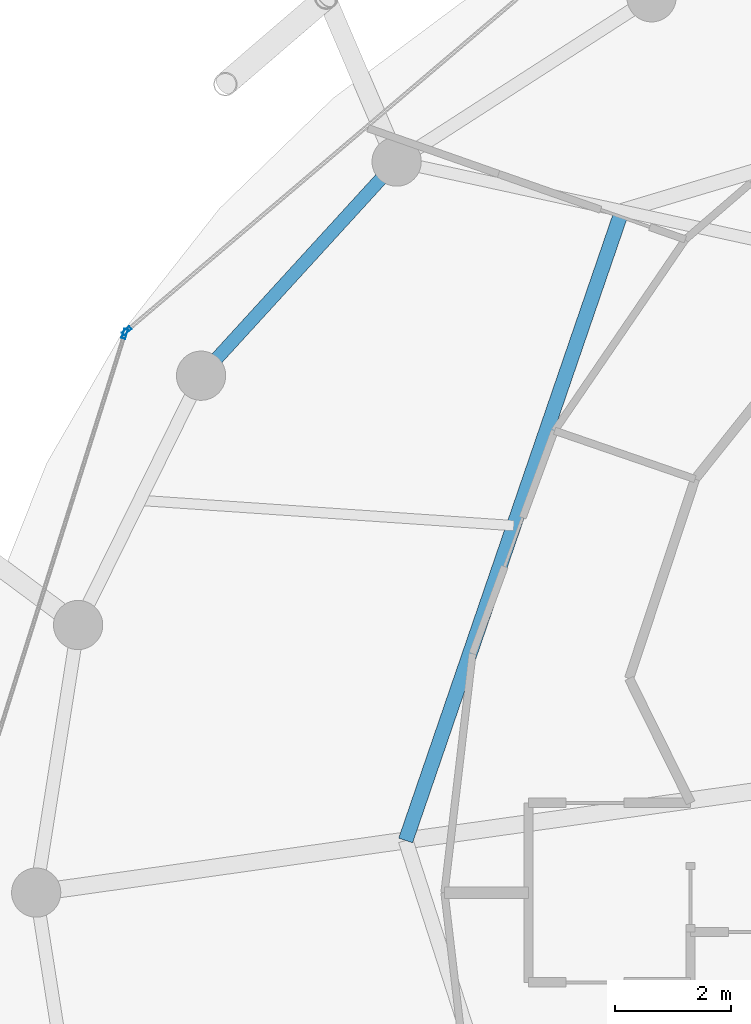
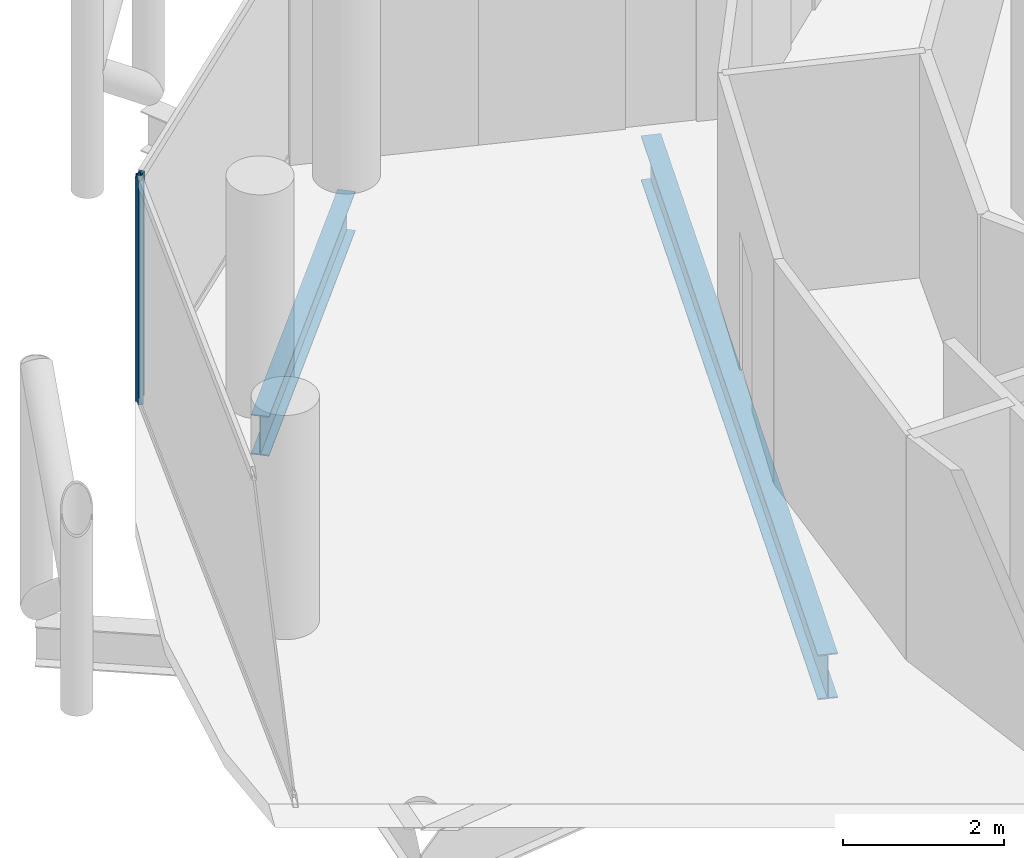
# One storey, part 9 of 27: 2 beams, 2 members, 2 elements without a shape of their own.
"""IFC4 building model written with IfcOpenShell, lengths in metres."""

from ifc_helpers import new_model, si_unit, direction, frame, origin, origin_2d, place, context, subcontext, project, spatial, hollow_rectangle, i_section, extrude, material, layer, layer_set, material_profile, profile_set, type_object, element, aggregate, save


model = new_model("IFC4")

# Units and contexts
model_context = context("Model", 3, precision=1e-05, world=origin(), true_north=direction((0.0, 1.0)))
body_context = subcontext(model_context, "Body", "Model", "MODEL_VIEW")
ifc_project = project(units=[si_unit("LENGTHUNIT", "METRE"), si_unit("AREAUNIT", "SQUARE_METRE"), si_unit("VOLUMEUNIT", "CUBIC_METRE"), si_unit("PLANEANGLEUNIT", "RADIAN"), si_unit("MASSUNIT", "GRAM", prefix="KILO")], contexts=[model_context])

# Site, building, storey
site_placement = place(None, origin())
site = spatial("IfcSite", under=ifc_project, at=site_placement, CompositionType="ELEMENT")
building_placement = place(site_placement, origin())
building = spatial("IfcBuilding", under=site, at=building_placement, Name="Nuhasar Tower", CompositionType="ELEMENT")
storey_placement = place(building_placement, frame((0.0, 0.0, 208.14990234375)))
storey = spatial("IfcBuildingStorey", under=building, at=storey_placement, Name="L50", CompositionType="ELEMENT", Elevation=208.14990234375)

# Beams
ifc_material_1 = material(Name="Steel S355", Category="steel")
ifc_material_profile_1 = material_profile(ifc_material_1, i_section(OverallWidth=0.25390625, OverallDepth=0.68408203125, WebThickness=0.012451171875, FlangeThickness=0.018798828125, at=origin_2d()), Name="W27X94")
ifc_profile_set_1 = profile_set([ifc_material_profile_1], Name="Steel S355")
beam_type_1 = type_object("IfcBeamType", Name="BM-INRING-W27X94", PredefinedType="BEAM", material=ifc_profile_set_1)
beam_1_placement = place(storey_placement, frame((27.864013671875, 38.572998046875, -0.581787109375), z_axis=(-0.324809117642, -0.945779592239, 0.0), x_axis=(0.945779592239, -0.324809117642, 0.0)))
element("IfcBeam", 1, at=beam_1_placement, inside=storey, type_object=beam_type_1, Name="L50 Inner Header Beam 07", PredefinedType="BEAM", context=body_context, shape_type="SweptSolid", body=[
    extrude(i_section(OverallWidth=0.25390625, OverallDepth=0.68408203125, WebThickness=0.012451171875, FlangeThickness=0.018798828125, at=origin_2d()), origin(), (0.0, 0.0, 1.0), 11.496337890625),
])
ifc_material_profile_2 = material_profile(ifc_material_1, i_section(OverallWidth=0.22802734375, OverallDepth=0.60791015625, WebThickness=0.01123046875, FlangeThickness=0.017333984375, at=origin_2d()), Name="W24X76")
ifc_profile_set_2 = profile_set([ifc_material_profile_2], Name="Steel S355")
beam_type_2 = type_object("IfcBeamType", Name="BM-RING-W24X76", PredefinedType="SPANDREL", material=ifc_profile_set_2)
beam_2_placement = place(storey_placement, frame((23.97412109375, 39.422119140625, -0.5439453125), z_axis=(-0.674449692975, -0.738320805373, 0.0), x_axis=(0.738320805373, -0.674449692975, 0.0)))
element("IfcBeam", 2, at=beam_2_placement, inside=storey, type_object=beam_type_2, Name="L50 Perimeter Ring Spandrel 10", PredefinedType="SPANDREL", context=body_context, shape_type="SweptSolid", body=[
    extrude(i_section(OverallWidth=0.22802734375, OverallDepth=0.60791015625, WebThickness=0.01123046875, FlangeThickness=0.017333984375, at=origin_2d()), origin(), (0.0, 0.0, 1.0), 5.00732421875),
])

# Curtain wall, member
ifc_material_2 = material(Name="Aluminium 6063-T6", Category="aluminium")
ifc_layer = layer(ifc_material_2, 0.18994140625)
ifc_layer_set = layer_set([ifc_layer], Name="Aluminium 6063-T6")
curtain_wall_type = type_object("IfcCurtainWallType", Name="CW-Z3-RES", PredefinedType="NOTDEFINED", material=ifc_layer_set)
curtain_wall_1_placement = place(storey_placement, origin())
curtain_wall_1 = element("IfcCurtainWall", 3, at=curtain_wall_1_placement, inside=storey, type_object=curtain_wall_type, Name="L50 Unitised Curtain Wall 05", PredefinedType="NOTDEFINED")
ifc_material_profile_3 = material_profile(ifc_material_2, hollow_rectangle(XDim=0.06494140625, YDim=0.169921875, WallThickness=0.0048828125, at=origin_2d()), Name="CWM-4")
ifc_profile_set_3 = profile_set([ifc_material_profile_3], Name="Aluminium 6063-T6")
member_type = type_object("IfcMemberType", Name="CW-MUL-S4", PredefinedType="MULLION", material=ifc_profile_set_3)
member_1_placement = place(storey_placement, frame((19.313720703125, 36.5009765625, 0.0), z_axis=(0.0, 0.0, 1.0), x_axis=(0.64789521578, -0.761729472562, 0.0)))
member_1 = element("IfcMember", 4, at=member_1_placement, type_object=member_type, Name="CW-Z3 mullion 2", PredefinedType="MULLION", context=body_context, shape_type="SweptSolid", body=[
    extrude(hollow_rectangle(XDim=0.06494140625, YDim=0.169921875, WallThickness=0.0048828125, at=origin_2d()), origin(), (0.0, 0.0, 1.0), 3.41015625),
])
aggregate(curtain_wall_1, [member_1])

curtain_wall_2_placement = place(storey_placement, origin())
curtain_wall_2 = element("IfcCurtainWall", 5, at=curtain_wall_2_placement, inside=storey, type_object=curtain_wall_type, Name="L50 Unitised Curtain Wall 06", PredefinedType="NOTDEFINED")
member_2_placement = place(storey_placement, frame((19.279296875, 36.448974609375, 0.0), z_axis=(0.0, 0.0, 1.0), x_axis=(0.95380429279, -0.30042864553, 0.0)))
member_2 = element("IfcMember", 6, at=member_2_placement, type_object=member_type, Name="CW-Z3 mullion 1", PredefinedType="MULLION", context=body_context, shape_type="SweptSolid", body=[
    extrude(hollow_rectangle(XDim=0.06494140625, YDim=0.169921875, WallThickness=0.0048828125, at=origin_2d()), origin(), (0.0, 0.0, 1.0), 3.41015625),
])
aggregate(curtain_wall_2, [member_2])

save(model, "model.ifc")
